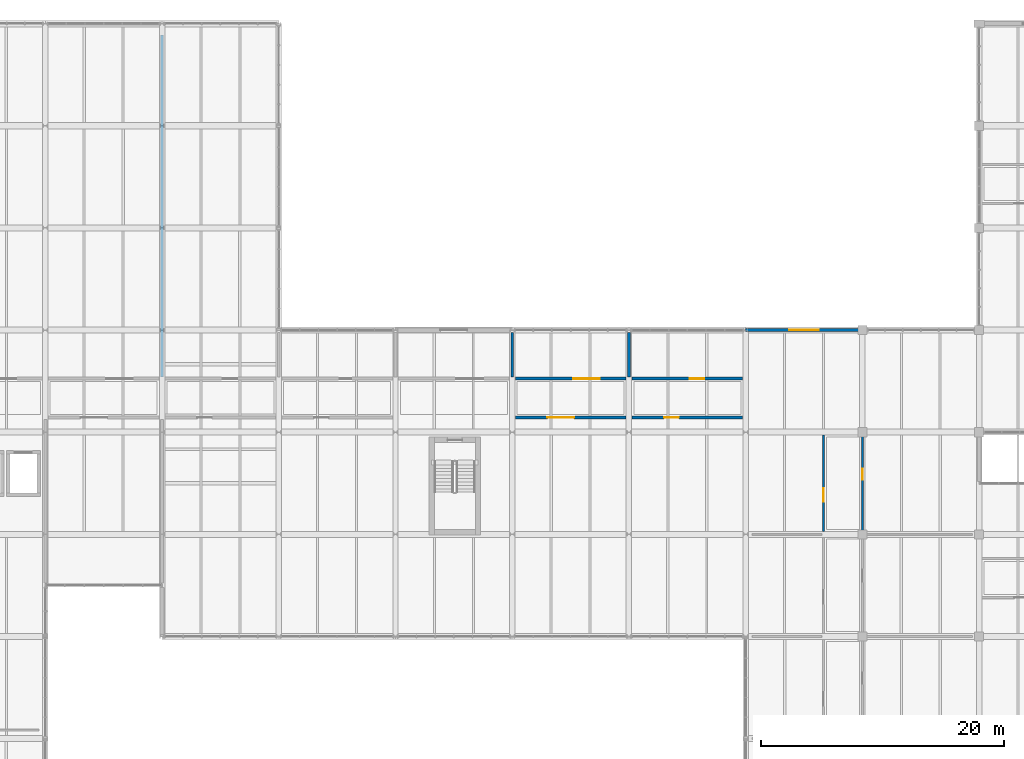
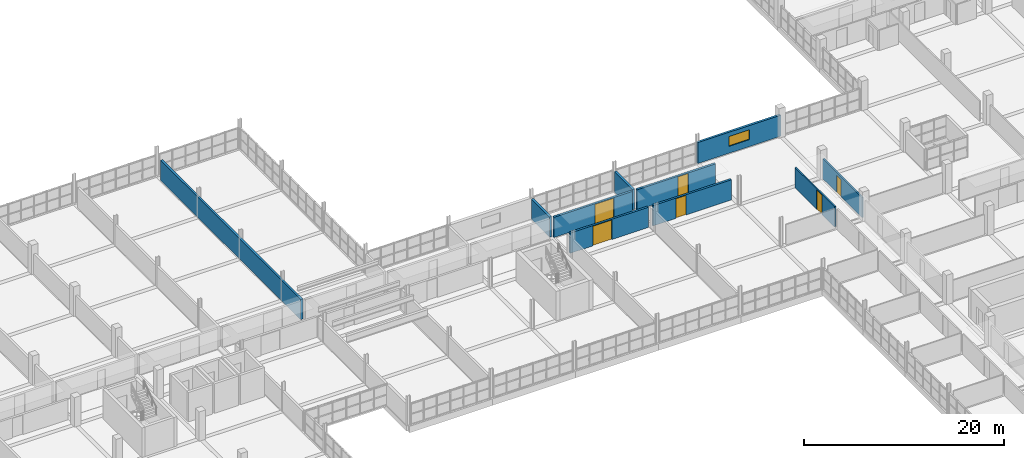
# One storey, part 125 of 147: 10 walls, 6 doors, 1 window, 7 openings.
"""IFC4 building model written with IfcOpenShell, lengths in metres."""

from ifc_helpers import new_model, si_unit, direction, frame, frame_2d, origin, place, context, subcontext, project, spatial, rectangle, extrude, material, layer, layer_set, type_object, element, fill, save


model = new_model("IFC4")

# Units and contexts
model_context = context("Model", 3, precision=1e-05, world=origin(), true_north=direction((0.0, 1.0)))
body_context = subcontext(model_context, "Body", "Model", "MODEL_VIEW")
ifc_project = project(units=[si_unit("LENGTHUNIT", "METRE"), si_unit("AREAUNIT", "SQUARE_METRE"), si_unit("VOLUMEUNIT", "CUBIC_METRE"), si_unit("PLANEANGLEUNIT", "RADIAN"), si_unit("MASSUNIT", "GRAM", prefix="KILO")], contexts=[model_context])

# Site, building, storey
site_placement = place(None, origin())
site = spatial("IfcSite", under=ifc_project, at=site_placement, CompositionType="ELEMENT")
building_placement = place(site_placement, origin())
building = spatial("IfcBuilding", under=site, at=building_placement, Name="Oolite Switchyard Hospital", CompositionType="ELEMENT")
storey_placement = place(building_placement, frame((0.0, 0.0, 9.89990234375)))
storey = spatial("IfcBuildingStorey", under=building, at=storey_placement, Name="L02", CompositionType="ELEMENT", Elevation=9.89990234375)

# Wall, opening, window
ifc_material_1 = material(Name="Precast oolitic limestone architectural concrete C40/50", Category="masonry")
ifc_layer_1 = layer(ifc_material_1, 0.260009765625)
ifc_layer_set_1 = layer_set([ifc_layer_1], Name="WAL-EXT-260")
wall_type_1 = type_object("IfcWallType", Name="WAL-EXT-260", PredefinedType="SOLIDWALL", material=ifc_layer_set_1)
wall_1_placement = place(storey_placement, frame((115.199951171875, 109.199951171875, 0.0), z_axis=(0.0, 0.0, 1.0), x_axis=(1.0, 0.0, 0.0)))
wall_1 = element("IfcWall", 1, at=wall_1_placement, inside=storey, type_object=wall_type_1, Name="L02 Exterior Spandrel Wall 138", PredefinedType="SOLIDWALL", context=body_context, shape_type="SweptSolid", body=[
    extrude(rectangle(XDim=9.60009765625, YDim=0.260009765625, at=frame_2d((4.800048828125, 0.0))), origin(), (0.0, 0.0, 1.0), 2.570068359375),
])
opening_1_placement = place(wall_1_placement, frame((3.60009765625, 0.0, 0.85009765625)))
opening_1 = element("IfcOpeningElement", 2, at=opening_1_placement, cuts=wall_1, Name="Opening WN-0055", PredefinedType="OPENING", context=body_context, shape_type="SweptSolid", body=[
    extrude(rectangle(XDim=2.39990234375, YDim=1.199951171875, at=frame_2d((1.199951171875, 0.60009765625))), frame((0.0, 0.14013671875, 0.0), z_axis=(0.0, -1.0, 0.0), x_axis=(1.0, 0.0, 0.0)), (0.0, 0.0, 1.0), 0.280029296875),
])
ifc_material_2 = material(Name="Thermally broken aluminum frame with laminated impact glazing", Category="aluminium")
window_type = type_object("IfcWindowType", Name="WIN-IMP-240X120", PartitioningType="SINGLE_PANEL", PredefinedType="WINDOW", material=ifc_material_2)
window_placement = place(opening_1_placement, origin())
window = element("IfcWindow", 3, at=window_placement, inside=storey, type_object=window_type, Name="L02 Hurricane Impact Window WN-0055", OverallHeight=1.199951171875, OverallWidth=2.39990234375, PartitioningType="SINGLE_PANEL", PredefinedType="WINDOW", context=body_context, shape_type="SweptSolid", body=[
    extrude(rectangle(XDim=2.39990234375, YDim=1.199951171875, at=frame_2d((1.199951171875, 0.60009765625))), frame((0.0, 0.030029296875, 0.0), z_axis=(0.0, -1.0, 0.0), x_axis=(1.0, 0.0, 0.0)), (0.0, 0.0, 1.0), 0.06005859375),
])
fill(opening_1, window)

# Wall, opening, door
ifc_material_3 = material(Name="Moisture-resistant gypsum board on steel studs", Category="steel")
ifc_layer_2 = layer(ifc_material_3, 0.1650390625)
ifc_layer_set_2 = layer_set([ifc_layer_2], Name="WAL-PART-165")
wall_type_2 = type_object("IfcWallType", Name="WAL-PART-165", PredefinedType="PARTITIONING", material=ifc_layer_set_2)
wall_2_placement = place(storey_placement, frame((121.60009765625, 92.64990234375, 0.0), z_axis=(0.0, 0.0, 1.0), x_axis=(0.0, 1.0, 0.0)))
wall_2 = element("IfcWall", 4, at=wall_2_placement, inside=storey, type_object=wall_type_2, Name="L02 Interior Partition 488", PredefinedType="PARTITIONING", context=body_context, shape_type="SweptSolid", body=[
    extrude(rectangle(XDim=7.900146484375, YDim=0.1650390625, at=frame_2d((3.9501953125, 0.0))), origin(), (0.0, 0.0, 1.0), 2.47998046875),
])
opening_2_placement = place(wall_2_placement, frame((2.449951171875, 0.0, 0.0)))
opening_2 = element("IfcOpeningElement", 5, at=opening_2_placement, cuts=wall_2, Name="Opening D-0275", PredefinedType="OPENING", context=body_context, shape_type="SweptSolid", body=[
    extrude(rectangle(XDim=1.10009765625, YDim=2.39990234375, at=frame_2d((0.550048828125, 1.199951171875))), frame((0.0, 0.092529296875, 0.0), z_axis=(0.0, -1.0, 0.0), x_axis=(1.0, 0.0, 0.0)), (0.0, 0.0, 1.0), 0.18505859375),
])
ifc_material_4 = material(Name="Hollow metal fire-rated steel door assembly", Category="steel")
door_type_1 = type_object("IfcDoorType", Name="DR-LAB-110X240", OperationType="NOTDEFINED", PredefinedType="DOOR", material=ifc_material_4)
door_1_placement = place(opening_2_placement, origin())
door_1 = element("IfcDoor", 6, at=door_1_placement, inside=storey, type_object=door_type_1, Name="L02 Interior Door D-0275", OperationType="SINGLE_SWING_RIGHT", OverallHeight=2.39990234375, OverallWidth=1.10009765625, PredefinedType="DOOR", context=body_context, shape_type="SweptSolid", body=[
    extrude(rectangle(XDim=1.10009765625, YDim=2.39990234375, at=frame_2d((0.550048828125, 1.199951171875))), frame((0.0, 0.02490234375, 0.0), z_axis=(0.0, -1.0, 0.0), x_axis=(1.0, 0.0, 0.0)), (0.0, 0.0, 1.0), 0.050048828125),
])
fill(opening_2, door_1)

wall_3_placement = place(storey_placement, frame((124.800048828125, 92.64990234375, 0.0), z_axis=(0.0, 0.0, 1.0), x_axis=(0.0, 1.0, 0.0)))
wall_3 = element("IfcWall", 7, at=wall_3_placement, inside=storey, type_object=wall_type_2, Name="L02 Interior Partition 490", PredefinedType="PARTITIONING", context=body_context, shape_type="SweptSolid", body=[
    extrude(rectangle(XDim=7.900146484375, YDim=0.1650390625, at=frame_2d((3.9501953125, 0.0))), origin(), (0.0, 0.0, 1.0), 2.47998046875),
])
opening_3_placement = place(wall_3_placement, frame((4.25, 0.0, 0.0)))
opening_3 = element("IfcOpeningElement", 8, at=opening_3_placement, cuts=wall_3, Name="Opening D-0276", PredefinedType="OPENING", context=body_context, shape_type="SweptSolid", body=[
    extrude(rectangle(XDim=0.89990234375, YDim=2.10009765625, at=frame_2d((0.449951171875, 1.050048828125))), frame((0.0, 0.092529296875, 0.0), z_axis=(0.0, -1.0, 0.0), x_axis=(1.0, 0.0, 0.0)), (0.0, 0.0, 1.0), 0.18505859375),
])
ifc_material_5 = material(Name="Solid-core antimicrobial hardwood leaf in steel frame", Category="steel")
door_type_2 = type_object("IfcDoorType", Name="DR-BATH-090X210", OperationType="NOTDEFINED", PredefinedType="DOOR", material=ifc_material_5)
door_2_placement = place(opening_3_placement, origin())
door_2 = element("IfcDoor", 9, at=door_2_placement, inside=storey, type_object=door_type_2, Name="L02 Interior Door D-0276", OperationType="SINGLE_SWING_LEFT", OverallHeight=2.10009765625, OverallWidth=0.89990234375, PredefinedType="DOOR", context=body_context, shape_type="SweptSolid", body=[
    extrude(rectangle(XDim=0.89990234375, YDim=2.10009765625, at=frame_2d((0.449951171875, 1.050048828125))), frame((0.0, 0.02490234375, 0.0), z_axis=(0.0, -1.0, 0.0), x_axis=(1.0, 0.0, 0.0)), (0.0, 0.0, 1.0), 0.050048828125),
])
fill(opening_3, door_2)

# Wall
ifc_material_6 = material(Name="Precast concrete C40/50", Category="concrete")
ifc_layer_3 = layer(ifc_material_6, 0.239990234375)
ifc_layer_set_3 = layer_set([ifc_layer_3], Name="WAL-PLANT-240")
wall_type_3 = type_object("IfcWallType", Name="WAL-PLANT-240", PredefinedType="PARTITIONING", material=ifc_layer_set_3)
wall_4_placement = place(storey_placement, frame((67.199951171875, 105.35009765625, 0.0), z_axis=(0.0, 0.0, 1.0), x_axis=(0.0, 1.0, 0.0)))
element("IfcWall", 10, at=wall_4_placement, inside=storey, type_object=wall_type_3, Name="L02 Interior Partition 430", PredefinedType="PARTITIONING", context=body_context, shape_type="SweptSolid", body=[
    extrude(rectangle(XDim=28.099853515625, YDim=0.239990234375, at=frame_2d((14.0498046875, 0.0))), origin(), (0.0, 0.0, 1.0), 2.47998046875),
])

# Wall, opening, door
wall_5_placement = place(storey_placement, frame((96.25, 102.0, 0.0), z_axis=(0.0, 0.0, 1.0), x_axis=(1.0, 0.0, 0.0)))
wall_5 = element("IfcWall", 11, at=wall_5_placement, inside=storey, type_object=wall_type_3, Name="L02 Interior Partition 437", PredefinedType="PARTITIONING", context=body_context, shape_type="SweptSolid", body=[
    extrude(rectangle(XDim=9.10009765625, YDim=0.239990234375, at=frame_2d((4.550048828125, 0.0))), origin(), (0.0, 0.0, 1.0), 2.47998046875),
])
opening_4_placement = place(wall_5_placement, frame((2.64990234375, 0.0, 0.0)))
opening_4 = element("IfcOpeningElement", 12, at=opening_4_placement, cuts=wall_5, Name="Opening D-0248", PredefinedType="OPENING", context=body_context, shape_type="SweptSolid", body=[
    extrude(rectangle(XDim=2.199951171875, YDim=2.39990234375, at=frame_2d((1.10009765625, 1.199951171875))), frame((0.0, 0.1298828125, 0.0), z_axis=(0.0, -1.0, 0.0), x_axis=(1.0, 0.0, 0.0)), (0.0, 0.0, 1.0), 0.260009765625),
])
door_type_3 = type_object("IfcDoorType", Name="DR-PLNT-220X240", OperationType="NOTDEFINED", PredefinedType="DOOR", material=ifc_material_4)
door_3_placement = place(opening_4_placement, origin())
door_3 = element("IfcDoor", 13, at=door_3_placement, inside=storey, type_object=door_type_3, Name="L02 Interior Door D-0248", OperationType="DOUBLE_DOOR_SINGLE_SWING", OverallHeight=2.39990234375, OverallWidth=2.199951171875, PredefinedType="DOOR", context=body_context, shape_type="SweptSolid", body=[
    extrude(rectangle(XDim=2.199951171875, YDim=2.39990234375, at=frame_2d((1.10009765625, 1.199951171875))), frame((0.0, 0.02490234375, 0.0), z_axis=(0.0, -1.0, 0.0), x_axis=(1.0, 0.0, 0.0)), (0.0, 0.0, 1.0), 0.050048828125),
])
fill(opening_4, door_3)

wall_6_placement = place(storey_placement, frame((96.25, 105.199951171875, 0.0), z_axis=(0.0, 0.0, 1.0), x_axis=(1.0, 0.0, 0.0)))
wall_6 = element("IfcWall", 14, at=wall_6_placement, inside=storey, type_object=wall_type_3, Name="L02 Interior Partition 439", PredefinedType="PARTITIONING", context=body_context, shape_type="SweptSolid", body=[
    extrude(rectangle(XDim=9.10009765625, YDim=0.239990234375, at=frame_2d((4.550048828125, 0.0))), origin(), (0.0, 0.0, 1.0), 2.47998046875),
])
opening_5_placement = place(wall_6_placement, frame((4.75, 0.0, 0.0)))
opening_5 = element("IfcOpeningElement", 15, at=opening_5_placement, cuts=wall_6, Name="Opening D-0249", PredefinedType="OPENING", context=body_context, shape_type="SweptSolid", body=[
    extrude(rectangle(XDim=2.199951171875, YDim=2.39990234375, at=frame_2d((1.10009765625, 1.199951171875))), frame((0.0, 0.1298828125, 0.0), z_axis=(0.0, -1.0, 0.0), x_axis=(1.0, 0.0, 0.0)), (0.0, 0.0, 1.0), 0.260009765625),
])
door_4_placement = place(opening_5_placement, origin())
door_4 = element("IfcDoor", 16, at=door_4_placement, inside=storey, type_object=door_type_3, Name="L02 Interior Door D-0249", OperationType="DOUBLE_DOOR_SINGLE_SWING", OverallHeight=2.39990234375, OverallWidth=2.199951171875, PredefinedType="DOOR", context=body_context, shape_type="SweptSolid", body=[
    extrude(rectangle(XDim=2.199951171875, YDim=2.39990234375, at=frame_2d((1.10009765625, 1.199951171875))), frame((0.0, 0.02490234375, 0.0), z_axis=(0.0, -1.0, 0.0), x_axis=(1.0, 0.0, 0.0)), (0.0, 0.0, 1.0), 0.050048828125),
])
fill(opening_5, door_4)

# Wall
wall_7_placement = place(storey_placement, frame((96.0, 105.35009765625, 0.0), z_axis=(0.0, 0.0, 1.0), x_axis=(0.0, 1.0, 0.0)))
element("IfcWall", 17, at=wall_7_placement, inside=storey, type_object=wall_type_3, Name="L02 Interior Partition 440", PredefinedType="PARTITIONING", context=body_context, shape_type="SweptSolid", body=[
    extrude(rectangle(XDim=3.64990234375, YDim=0.239990234375, at=frame_2d((1.824951171875, 0.0))), origin(), (0.0, 0.0, 1.0), 2.47998046875),
])

# Wall, opening, door
wall_8_placement = place(storey_placement, frame((105.85009765625, 102.0, 0.0), z_axis=(0.0, 0.0, 1.0), x_axis=(1.0, 0.0, 0.0)))
wall_8 = element("IfcWall", 18, at=wall_8_placement, inside=storey, type_object=wall_type_3, Name="L02 Interior Partition 441", PredefinedType="PARTITIONING", context=body_context, shape_type="SweptSolid", body=[
    extrude(rectangle(XDim=9.099853515625, YDim=0.239990234375, at=frame_2d((4.5498046875, 0.0))), origin(), (0.0, 0.0, 1.0), 2.47998046875),
])
opening_6_placement = place(wall_8_placement, frame((2.64990234375, 0.0, 0.0)))
opening_6 = element("IfcOpeningElement", 19, at=opening_6_placement, cuts=wall_8, Name="Opening D-0250", PredefinedType="OPENING", context=body_context, shape_type="SweptSolid", body=[
    extrude(rectangle(XDim=1.199951171875, YDim=2.39990234375, at=frame_2d((0.60009765625, 1.199951171875))), frame((0.0, 0.1298828125, 0.0), z_axis=(0.0, -1.0, 0.0), x_axis=(1.0, 0.0, 0.0)), (0.0, 0.0, 1.0), 0.260009765625),
])
door_type_4 = type_object("IfcDoorType", Name="DR-PHARM-120X240", OperationType="NOTDEFINED", PredefinedType="DOOR", material=ifc_material_4)
door_5_placement = place(opening_6_placement, origin())
door_5 = element("IfcDoor", 20, at=door_5_placement, inside=storey, type_object=door_type_4, Name="L02 Interior Door D-0250", OperationType="SINGLE_SWING_LEFT", OverallHeight=2.39990234375, OverallWidth=1.199951171875, PredefinedType="DOOR", context=body_context, shape_type="SweptSolid", body=[
    extrude(rectangle(XDim=1.199951171875, YDim=2.39990234375, at=frame_2d((0.60009765625, 1.199951171875))), frame((0.0, 0.02490234375, 0.0), z_axis=(0.0, -1.0, 0.0), x_axis=(1.0, 0.0, 0.0)), (0.0, 0.0, 1.0), 0.050048828125),
])
fill(opening_6, door_5)

wall_9_placement = place(storey_placement, frame((105.85009765625, 105.199951171875, 0.0), z_axis=(0.0, 0.0, 1.0), x_axis=(1.0, 0.0, 0.0)))
wall_9 = element("IfcWall", 21, at=wall_9_placement, inside=storey, type_object=wall_type_3, Name="L02 Interior Partition 443", PredefinedType="PARTITIONING", context=body_context, shape_type="SweptSolid", body=[
    extrude(rectangle(XDim=9.099853515625, YDim=0.239990234375, at=frame_2d((4.5498046875, 0.0))), origin(), (0.0, 0.0, 1.0), 2.47998046875),
])
opening_7_placement = place(wall_9_placement, frame((4.75, 0.0, 0.0)))
opening_7 = element("IfcOpeningElement", 22, at=opening_7_placement, cuts=wall_9, Name="Opening D-0251", PredefinedType="OPENING", context=body_context, shape_type="SweptSolid", body=[
    extrude(rectangle(XDim=1.199951171875, YDim=2.39990234375, at=frame_2d((0.60009765625, 1.199951171875))), frame((0.0, 0.1298828125, 0.0), z_axis=(0.0, -1.0, 0.0), x_axis=(1.0, 0.0, 0.0)), (0.0, 0.0, 1.0), 0.260009765625),
])
door_6_placement = place(opening_7_placement, origin())
door_6 = element("IfcDoor", 23, at=door_6_placement, inside=storey, type_object=door_type_4, Name="L02 Interior Door D-0251", OperationType="SINGLE_SWING_RIGHT", OverallHeight=2.39990234375, OverallWidth=1.199951171875, PredefinedType="DOOR", context=body_context, shape_type="SweptSolid", body=[
    extrude(rectangle(XDim=1.199951171875, YDim=2.39990234375, at=frame_2d((0.60009765625, 1.199951171875))), frame((0.0, 0.02490234375, 0.0), z_axis=(0.0, -1.0, 0.0), x_axis=(1.0, 0.0, 0.0)), (0.0, 0.0, 1.0), 0.050048828125),
])
fill(opening_7, door_6)

# Wall
wall_10_placement = place(storey_placement, frame((105.60009765625, 105.35009765625, 0.0), z_axis=(0.0, 0.0, 1.0), x_axis=(0.0, 1.0, 0.0)))
element("IfcWall", 24, at=wall_10_placement, inside=storey, type_object=wall_type_3, Name="L02 Interior Partition 444", PredefinedType="PARTITIONING", context=body_context, shape_type="SweptSolid", body=[
    extrude(rectangle(XDim=3.64990234375, YDim=0.239990234375, at=frame_2d((1.824951171875, 0.0))), origin(), (0.0, 0.0, 1.0), 2.47998046875),
])

save(model, "model.ifc")
